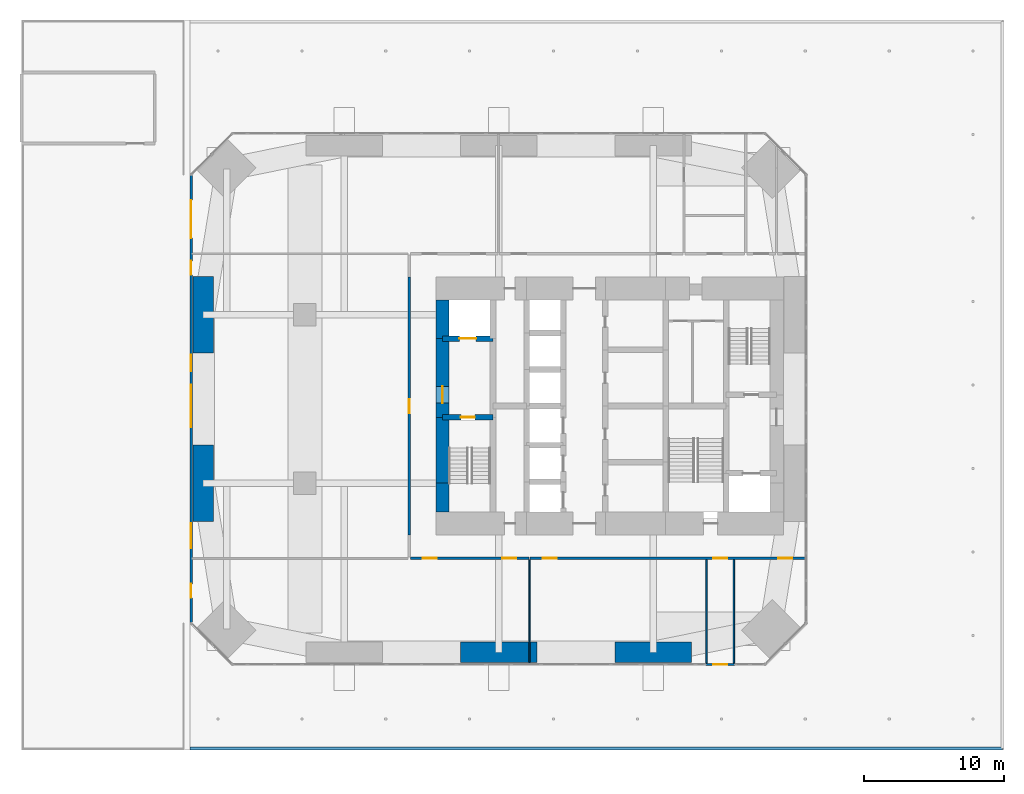
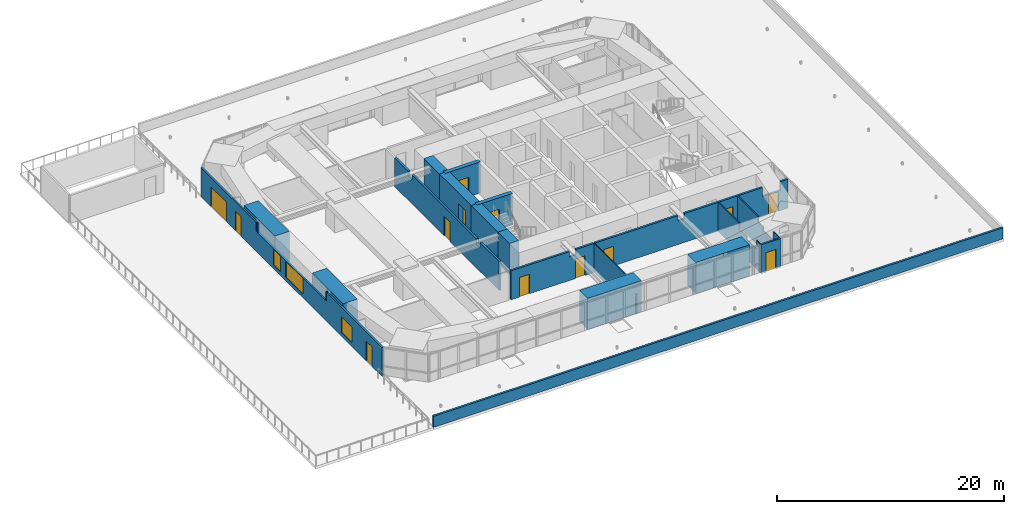
# One storey, part 13 of 20: 19 walls, 13 doors, 3 windows, 16 openings.
"""IFC4 building model written with IfcOpenShell, lengths in metres."""

import ifcopenshell
import ifcopenshell.guid

model = None  # the IFC model being written
_history = None  # IfcOwnerHistory: only IFC2X3 demands one
_inside = {}  # id of a spatial element -> (the spatial element, [elements in it])
_under = {}  # id of a project, library or spatial element -> (it, [spatial elements below it])
_declared = {}  # id of a project -> (the project, [libraries it declares])
_typed = {}  # id of a type object -> (the type object, [elements of that type])
_made_of = {}  # id of a material, layer set ... -> (it, [elements and type objects made of it])


def new_model(schema):
    """Start an empty IFC model of exactly this schema.

    Asked for "IFC4X3", IfcOpenShell would pick the latest addendum, in which some entities
    have other attributes; the version numbers below select the first issue.
    IFC2X3 requires an IfcOwnerHistory on every rooted entity: one is made here for all.
    """
    global model, _history
    if schema == "IFC4X3":
        model = ifcopenshell.file(schema_version=(4, 3, 0, 0))
    else:
        model = ifcopenshell.file(schema=schema)
    _inside.clear()
    _under.clear()
    _declared.clear()
    _typed.clear()
    _made_of.clear()
    _history = None
    if model.schema == "IFC2X3":
        org = make("IfcOrganization", Name="unknown")
        user = make(
            "IfcPersonAndOrganization",
            ThePerson=make("IfcPerson", FamilyName="unknown"),
            TheOrganization=org,
        )
        app = make(
            "IfcApplication",
            ApplicationDeveloper=org,
            Version="unknown",
            ApplicationFullName="unknown",
            ApplicationIdentifier="unknown",
        )
        _history = make(
            "IfcOwnerHistory",
            OwningUser=user,
            OwningApplication=app,
            ChangeAction="ADDED",
            CreationDate=0,
        )
    return model


def make(cls, **values):
    """One entity of the class cls with the attributes given. An attribute that is None is left unset."""
    return model.create_entity(
        cls, **{name: value for name, value in values.items() if value is not None}
    )


def rooted(cls, **values):
    """An entity with a GlobalId (a new one), such as an element, a storey or a relation."""
    return make(cls, GlobalId=ifcopenshell.guid.new(), OwnerHistory=_history, **values)


def si_unit(unit_type, name, prefix=None):
    """IfcSIUnit, for example si_unit("LENGTHUNIT", "METRE", prefix="MILLI")."""
    return make("IfcSIUnit", UnitType=unit_type, Prefix=prefix, Name=name)


def assignment(units):
    """IfcUnitAssignment: the units of a project."""
    return None if units is None else make("IfcUnitAssignment", Units=units)


def point(xyz):
    """IfcCartesianPoint."""
    return None if xyz is None else make("IfcCartesianPoint", Coordinates=xyz)


def direction(xyz):
    """IfcDirection."""
    return None if xyz is None else make("IfcDirection", DirectionRatios=xyz)


def frame(location, z_axis=None, x_axis=None):
    """IfcAxis2Placement3D, a coordinate frame: its origin and axes. An axis left out is left unset."""
    return make(
        "IfcAxis2Placement3D",
        Location=point(location),
        Axis=direction(z_axis),
        RefDirection=direction(x_axis),
    )


def frame_2d(location, x_axis=None):
    """IfcAxis2Placement2D, a coordinate frame in the plane: its origin and x axis."""
    return make(
        "IfcAxis2Placement2D", Location=point(location), RefDirection=direction(x_axis)
    )


def origin():
    """The frame at (0, 0, 0) with its axes left unset."""
    return frame((0.0, 0.0, 0.0))


def place(relative_to, where):
    """IfcLocalPlacement: puts the frame where relative to a parent placement (None: the world)."""
    return make(
        "IfcLocalPlacement", PlacementRelTo=relative_to, RelativePlacement=where
    )


def context(
    kind, dimensions, precision=None, world=None, true_north=None, identifier=None
):
    """IfcGeometricRepresentationContext, for example the 3D "Model" context."""
    return make(
        "IfcGeometricRepresentationContext",
        ContextIdentifier=identifier,
        ContextType=kind,
        CoordinateSpaceDimension=dimensions,
        Precision=precision,
        WorldCoordinateSystem=world,
        TrueNorth=true_north,
    )


def subcontext(parent, identifier, kind, view, scale=None):
    """IfcGeometricRepresentationSubContext, for example "Body" below "Model"."""
    return make(
        "IfcGeometricRepresentationSubContext",
        ContextIdentifier=identifier,
        ContextType=kind,
        ParentContext=parent,
        TargetScale=scale,
        TargetView=view,
    )


def project(units=None, contexts=None):
    """IfcProject with its units and contexts."""
    return rooted(
        "IfcProject",
        Name="project",
        RepresentationContexts=contexts,
        UnitsInContext=assignment(units),
    )


def spatial(cls, under=None, at=None, **own):
    """A site, building, storey or space (cls), placed at a placement, below another one or the project."""
    s = rooted(cls, ObjectPlacement=at, **own)
    if under is not None:
        _under.setdefault(under.id(), (under, []))[1].append(s)
    return s


def polyline(points):
    """IfcPolyline through the points."""
    return make("IfcPolyline", Points=[point(p) for p in points])


def profile(cls, at=None, kind="AREA", **sizes):
    """A parametric profile (cls). Its sizes go by their IFC names, for example OverallWidth=200.0."""
    return make(cls, ProfileType=kind, Position=at, **sizes)


def rectangle(**sizes):
    """IfcRectangleProfileDef."""
    return profile("IfcRectangleProfileDef", **sizes)


def outline(outer, holes=None, kind="AREA"):
    """IfcArbitraryClosedProfileDef: a profile drawn as a closed curve; with holes, ...WithVoids."""
    if holes is None:
        return make("IfcArbitraryClosedProfileDef", ProfileType=kind, OuterCurve=outer)
    return make(
        "IfcArbitraryProfileDefWithVoids",
        ProfileType=kind,
        OuterCurve=outer,
        InnerCurves=holes,
    )


def extrude(swept, where, along, depth):
    """IfcExtrudedAreaSolid: the profile swept, set in the frame where, extruded along a direction by depth."""
    return make(
        "IfcExtrudedAreaSolid",
        SweptArea=swept,
        Position=where,
        ExtrudedDirection=direction(along),
        Depth=depth,
    )


def shape(context_of_items, identifier, shape_type, items):
    """IfcShapeRepresentation: the items that make up one representation, for example the "Body"."""
    return make(
        "IfcShapeRepresentation",
        ContextOfItems=context_of_items,
        RepresentationIdentifier=identifier,
        RepresentationType=shape_type,
        Items=items,
    )


def material(Name=None, Category=None):
    """IfcMaterial."""
    return make("IfcMaterial", Name=Name, Category=Category)


def layer(
    of_material, thickness, ventilated=None, Name=None, Category=None, Priority=None
):
    """IfcMaterialLayer: one layer of a wall or slab, of a material (None: an air gap)."""
    return make(
        "IfcMaterialLayer",
        Material=of_material,
        LayerThickness=thickness,
        IsVentilated=ventilated,
        Name=Name,
        Category=Category,
        Priority=Priority,
    )


def layer_set(layers, Name=None):
    """IfcMaterialLayerSet."""
    return make("IfcMaterialLayerSet", MaterialLayers=layers, LayerSetName=Name)


def constituent(of_material, Name=None, Category=None, fraction=None):
    """IfcMaterialConstituent: one of the materials an element consists of."""
    return make(
        "IfcMaterialConstituent",
        Name=Name,
        Material=of_material,
        Fraction=fraction,
        Category=Category,
    )


def constituent_set(constituents=None, Name=None):
    """IfcMaterialConstituentSet."""
    return make(
        "IfcMaterialConstituentSet", Name=Name, MaterialConstituents=constituents
    )


def made_of(thing, what):
    """Note that an element or type object is made of a material, layer set ...; save() writes the relation."""
    if what is not None:
        _made_of.setdefault(what.id(), (what, []))[1].append(thing)
    return thing


def type_object(cls, material=None, **own):
    """A type object (cls), such as IfcWallType, which elements share."""
    return made_of(rooted(cls, **own), material)


def element(
    cls,
    number,
    at=None,
    inside=None,
    cuts=None,
    type_object=None,
    material=None,
    context=None,
    identifier="Body",
    shape_type=None,
    held_by="IfcProductDefinitionShape",
    body=None,
    shapes=None,
    **own,
):
    """One element of the class cls, such as IfcWall. Its Tag is "e" and its number.

    at: its placement. inside: the storey or other place that contains it. cuts: it is an
    opening in that element (IfcRelVoidsElement). A single representation is given by context,
    identifier, shape_type and body (its items); several are given by shapes. held_by: the class
    of the entity that holds the representations. save() writes the other relations.
    """
    e = rooted(cls, Tag="e%d" % number, ObjectPlacement=at, **own)
    if body is not None:
        shapes = [shape(context, identifier, shape_type, body)]
    if shapes is not None:
        e.Representation = make(held_by, Representations=shapes)
    if inside is not None:
        _inside.setdefault(inside.id(), (inside, []))[1].append(e)
    if cuts is not None:
        rooted(
            "IfcRelVoidsElement", RelatingBuildingElement=cuts, RelatedOpeningElement=e
        )
    if type_object is not None:
        _typed.setdefault(type_object.id(), (type_object, []))[1].append(e)
    return made_of(e, material)


def fill(opening, filler):
    """IfcRelFillsElement: the door or window that sits in an opening."""
    return rooted(
        "IfcRelFillsElement",
        RelatingOpeningElement=opening,
        RelatedBuildingElement=filler,
    )


def aggregate(whole, parts):
    """IfcRelAggregates: a whole, such as a stair, and the parts it consists of."""
    return rooted("IfcRelAggregates", RelatingObject=whole, RelatedObjects=parts)


def save(model, path):
    """Write the relations noted so far, then the file.

    IfcRelAggregates (storeys below a building ...), IfcRelContainedInSpatialStructure (elements
    in a storey), IfcRelDefinesByType, IfcRelAssociatesMaterial and IfcRelDeclares: one each for
    every whole, place, type object, material and project.
    """
    for whole, parts in _under.values():
        aggregate(whole, parts)
    for where, things in _inside.values():
        rooted(
            "IfcRelContainedInSpatialStructure",
            RelatedElements=things,
            RelatingStructure=where,
        )
    for kind, things in _typed.values():
        rooted("IfcRelDefinesByType", RelatedObjects=things, RelatingType=kind)
    for what, things in _made_of.values():
        rooted("IfcRelAssociatesMaterial", RelatedObjects=things, RelatingMaterial=what)
    for by, libraries in _declared.values():
        rooted("IfcRelDeclares", RelatingContext=by, RelatedDefinitions=libraries)
    model.write(path)


model = new_model("IFC4")

# Units and contexts
model_context = context("Model", 3, precision=1e-05, world=origin(), true_north=direction((0.0, 1.0)))
body_context = subcontext(model_context, "Body", "Model", "MODEL_VIEW")
ifc_project = project(units=[si_unit("LENGTHUNIT", "METRE"), si_unit("AREAUNIT", "SQUARE_METRE"), si_unit("VOLUMEUNIT", "CUBIC_METRE"), si_unit("PLANEANGLEUNIT", "RADIAN"), si_unit("MASSUNIT", "GRAM", prefix="KILO")], contexts=[model_context])

# Site, building, storey
site_placement = place(None, origin())
site = spatial("IfcSite", under=ifc_project, at=site_placement, CompositionType="ELEMENT")
building_placement = place(site_placement, origin())
building = spatial("IfcBuilding", under=site, at=building_placement, Name="Jalousie Tower", CompositionType="ELEMENT")
storey_placement = place(building_placement, frame((0.0, 0.0, 21.0)))
storey = spatial("IfcBuildingStorey", under=building, at=storey_placement, Name="L04", CompositionType="ELEMENT", Elevation=21.0)

# Wall, opening, door
ifc_material_1 = material(Name="Concrete f'c 120 MPa", Category="concrete")
ifc_layer_1 = layer(ifc_material_1, 0.39990234375)
ifc_layer_set_1 = layer_set([ifc_layer_1], Name="Concrete f'c 120 MPa")
wall_type_1 = type_object("IfcWallType", Name="CORE WALL 400", PredefinedType="SHEAR", material=ifc_layer_set_1)
wall_1_placement = place(storey_placement, frame((20.0, 17.699951171875, 0.0), z_axis=(0.0, 0.0, 1.0), x_axis=(1.0, 0.0, 0.0)))
wall_1 = element("IfcWall", 1, at=wall_1_placement, inside=storey, type_object=wall_type_1, Name="Core wall Y20-17.7 L04", PredefinedType="SHEAR", context=body_context, shape_type="SweptSolid", body=[
    extrude(rectangle(XDim=3.60009765625, YDim=0.39990234375, at=frame_2d((1.800048828125, 0.0))), origin(), (0.0, 0.0, 1.0), 3.35009765625),
])
opening_1_placement = place(wall_1_placement, frame((1.300048828125, 0.0, 0.0)))
opening_1 = element("IfcOpeningElement", 2, at=opening_1_placement, cuts=wall_1, Name="Opening D10", PredefinedType="OPENING", context=body_context, shape_type="SweptSolid", body=[
    extrude(rectangle(XDim=1.0, YDim=2.10009765625, at=frame_2d((0.5, 1.050048828125))), frame((0.0, 0.2099609375, 0.0), z_axis=(0.0, -1.0, 0.0), x_axis=(1.0, 0.0, 0.0)), (0.0, 0.0, 1.0), 0.419921875),
])
ifc_material_2 = material(Name="Steel fire door", Category="steel")
door_type_1 = type_object("IfcDoorType", Name="STAIR DOOR 1000", OperationType="SINGLE_SWING_LEFT", PredefinedType="DOOR", material=ifc_material_2)
door_1_placement = place(opening_1_placement, frame((1.0, 0.0, 0.0), z_axis=(0.0, 0.0, 1.0), x_axis=(-1.0, 0.0, 0.0)))
door_1 = element("IfcDoor", 3, at=door_1_placement, inside=storey, type_object=door_type_1, Name="Exit stair A door", OperationType="SINGLE_SWING_RIGHT", OverallHeight=2.10009765625, OverallWidth=1.0, PredefinedType="DOOR", context=body_context, shape_type="SweptSolid", body=[
    extrude(rectangle(XDim=1.0, YDim=2.10009765625, at=frame_2d((0.5, 1.050048828125))), frame((0.0, 0.02490234375, 0.0), z_axis=(0.0, -1.0, 0.0), x_axis=(1.0, 0.0, 0.0)), (0.0, 0.0, 1.0), 0.050048828125),
])
fill(opening_1, door_1)

wall_2_placement = place(storey_placement, frame((20.0, 23.300048828125, 0.0), z_axis=(0.0, 0.0, 1.0), x_axis=(1.0, 0.0, 0.0)))
wall_2 = element("IfcWall", 4, at=wall_2_placement, inside=storey, type_object=wall_type_1, Name="Core wall Y20-23.3 L04", PredefinedType="SHEAR", context=body_context, shape_type="SweptSolid", body=[
    extrude(rectangle(XDim=3.60009765625, YDim=0.39990234375, at=frame_2d((1.800048828125, 0.0))), origin(), (0.0, 0.0, 1.0), 3.35009765625),
])
opening_2_placement = place(wall_2_placement, frame((1.199951171875, 0.0, 0.0)))
opening_2 = element("IfcOpeningElement", 5, at=opening_2_placement, cuts=wall_2, Name="Opening LD2", PredefinedType="OPENING", context=body_context, shape_type="SweptSolid", body=[
    extrude(rectangle(XDim=1.199951171875, YDim=2.10009765625, at=frame_2d((0.60009765625, 1.050048828125))), frame((0.0, 0.2099609375, 0.0), z_axis=(0.0, -1.0, 0.0), x_axis=(1.0, 0.0, 0.0)), (0.0, 0.0, 1.0), 0.419921875),
])
ifc_material_3 = material(Name="Steel lift landing door", Category="steel")
door_type_2 = type_object("IfcDoorType", Name="LIFT LANDING DOOR 1200", OperationType="SLIDING_TO_LEFT", PredefinedType="DOOR", material=ifc_material_3)
door_2_placement = place(opening_2_placement, origin())
door_2 = element("IfcDoor", 6, at=door_2_placement, inside=storey, type_object=door_type_2, Name="Lift F1 landing door", OperationType="SLIDING_TO_LEFT", OverallHeight=2.10009765625, OverallWidth=1.199951171875, PredefinedType="DOOR", context=body_context, shape_type="SweptSolid", body=[
    extrude(rectangle(XDim=1.199951171875, YDim=2.10009765625, at=frame_2d((0.60009765625, 1.050048828125))), frame((0.0, 0.02490234375, 0.0), z_axis=(0.0, -1.0, 0.0), x_axis=(1.0, 0.0, 0.0)), (0.0, 0.0, 1.0), 0.050048828125),
])
fill(opening_2, door_2)

# Wall
ifc_material_4 = material(Name="Concrete f'c 120 MPa", Category="concrete")
ifc_layer_2 = layer(ifc_material_4, 0.949951171875)
ifc_layer_set_2 = layer_set([ifc_layer_2], Name="Concrete f'c 120 MPa")
wall_type_2 = type_object("IfcWallType", Name="CORE WALL 950", PredefinedType="SHEAR", material=ifc_layer_set_2)
wall_3_placement = place(storey_placement, frame((20.0, 26.050048828125, 0.0), z_axis=(0.0, 0.0, 1.0), x_axis=(0.0, -1.0, 0.0)))
element("IfcWall", 7, at=wall_3_placement, inside=storey, type_object=wall_type_2, Name="Core wall WA L04", PredefinedType="SHEAR", context=body_context, shape_type="SweptSolid", body=[
    extrude(rectangle(XDim=2.75, YDim=0.949951171875, at=frame_2d((1.375, 0.0))), origin(), (0.0, 0.0, 1.0), 3.35009765625),
])

# Wall, opening, door
wall_4_placement = place(storey_placement, frame((20.0, 23.300048828125, 0.0), z_axis=(0.0, 0.0, 1.0), x_axis=(0.0, -1.0, 0.0)))
wall_4 = element("IfcWall", 8, at=wall_4_placement, inside=storey, type_object=wall_type_2, Name="Core wall WB L04", PredefinedType="SHEAR", context=body_context, shape_type="SweptSolid", body=[
    extrude(rectangle(XDim=5.60009765625, YDim=0.949951171875, at=frame_2d((2.800048828125, 0.0))), origin(), (0.0, 0.0, 1.0), 3.35009765625),
])
opening_3_placement = place(wall_4_placement, frame((3.39990234375, 0.0, 0.0)))
opening_3 = element("IfcOpeningElement", 9, at=opening_3_placement, cuts=wall_4, Name="Opening D11", PredefinedType="OPENING", context=body_context, shape_type="SweptSolid", body=[
    extrude(rectangle(XDim=1.199951171875, YDim=2.199951171875, at=frame_2d((0.60009765625, 1.10009765625))), frame((0.0, 0.48486328125, 0.0), z_axis=(0.0, -1.0, 0.0), x_axis=(1.0, 0.0, 0.0)), (0.0, 0.0, 1.0), 0.969970703125),
])
ifc_material_5 = material(Name="Steel fire door", Category="steel")
door_type_3 = type_object("IfcDoorType", Name="FIRE DOOR 1200", OperationType="SINGLE_SWING_LEFT", PredefinedType="DOOR", material=ifc_material_5)
door_3_placement = place(opening_3_placement, origin())
door_3 = element("IfcDoor", 10, at=door_3_placement, inside=storey, type_object=door_type_3, Name="Fire-fighting lobby A door", OperationType="SINGLE_SWING_RIGHT", OverallHeight=2.199951171875, OverallWidth=1.199951171875, PredefinedType="DOOR", context=body_context, shape_type="SweptSolid", body=[
    extrude(rectangle(XDim=1.199951171875, YDim=2.199951171875, at=frame_2d((0.60009765625, 1.10009765625))), frame((0.0, 0.02490234375, 0.0), z_axis=(0.0, -1.0, 0.0), x_axis=(1.0, 0.0, 0.0)), (0.0, 0.0, 1.0), 0.050048828125),
])
fill(opening_3, door_3)

# Walls
wall_5_placement = place(storey_placement, frame((20.0, 17.699951171875, 0.0), z_axis=(0.0, 0.0, 1.0), x_axis=(0.0, -1.0, 0.0)))
element("IfcWall", 11, at=wall_5_placement, inside=storey, type_object=wall_type_2, Name="Core wall WC L04", PredefinedType="SHEAR", context=body_context, shape_type="SweptSolid", body=[
    extrude(rectangle(XDim=4.699951171875, YDim=0.949951171875, at=frame_2d((2.35009765625, 0.0))), origin(), (0.0, 0.0, 1.0), 3.35009765625),
])
wall_6_placement = place(storey_placement, frame((20.0, 13.0, 0.0), z_axis=(0.0, 0.0, 1.0), x_axis=(0.0, -1.0, 0.0)))
element("IfcWall", 12, at=wall_6_placement, inside=storey, type_object=wall_type_2, Name="Core wall WD L04", PredefinedType="SHEAR", context=body_context, shape_type="SweptSolid", body=[
    extrude(rectangle(XDim=2.050048828125, YDim=0.949951171875, at=frame_2d((1.02490234375, 0.0))), origin(), (0.0, 0.0, 1.0), 3.35009765625),
])

# Wall, openings, doors
ifc_material_6 = material(Name="Concrete block ASTM C90", Category="concrete")
ifc_constituent_1 = constituent(ifc_material_6, Name="Body")
ifc_material_7 = material(Name="Render")
ifc_constituent_2 = constituent(ifc_material_7, Name="Finish")
ifc_constituent_set_1 = constituent_set(constituents=[ifc_constituent_1, ifc_constituent_2])
wall_type_3 = type_object("IfcWallType", Name="CORRIDOR WALL 200", PredefinedType="PARTITIONING", material=ifc_constituent_set_1)
wall_7_placement = place(storey_placement, frame((17.72509765625, 7.64990234375, 0.0), z_axis=(0.0, 0.0, 1.0), x_axis=(1.0, 0.0, 0.0)))
wall_7 = element("IfcWall", 13, at=wall_7_placement, inside=storey, type_object=wall_type_3, Name="Corridor Wall 200 L04", PredefinedType="PARTITIONING", context=body_context, shape_type="SweptSolid", body=[
    extrude(outline(polyline([(0.0, 0.0), (8.4248046875, 0.0), (8.425048828125, 3.110107421875), (6.6123046875, 3.110107421875), (6.6123046875, 2.541015625), (5.9375, 2.541015625), (5.9375, 3.110107421875), (0.0, 3.110107421875), (0.0, 0.0)])), frame((0.0, 0.10009765625, 0.0), z_axis=(0.0, -1.0, 0.0), x_axis=(1.0, 0.0, 0.0)), (0.0, 0.0, 1.0), 0.199951171875),
])
opening_4_placement = place(wall_7_placement, frame((0.85009765625, 0.0, 0.0)))
opening_4 = element("IfcOpeningElement", 14, at=opening_4_placement, cuts=wall_7, Name="Opening D21", PredefinedType="OPENING", context=body_context, shape_type="SweptSolid", body=[
    extrude(rectangle(XDim=1.0, YDim=2.10009765625, at=frame_2d((0.5, 1.050048828125))), frame((0.0, 0.10986328125, 0.0), z_axis=(0.0, -1.0, 0.0), x_axis=(1.0, 0.0, 0.0)), (0.0, 0.0, 1.0), 0.219970703125),
])
opening_5_placement = place(wall_7_placement, frame((6.52490234375, 0.0, 0.0)))
opening_5 = element("IfcOpeningElement", 15, at=opening_5_placement, cuts=wall_7, Name="Opening D21", PredefinedType="OPENING", context=body_context, shape_type="SweptSolid", body=[
    extrude(rectangle(XDim=1.0, YDim=2.10009765625, at=frame_2d((0.5, 1.050048828125))), frame((0.0, 0.10986328125, 0.0), z_axis=(0.0, -1.0, 0.0), x_axis=(1.0, 0.0, 0.0)), (0.0, 0.0, 1.0), 0.219970703125),
])
ifc_material_8 = material(Name="Timber fire door", Category="wood")
door_type_4 = type_object("IfcDoorType", Name="CORRIDOR DOOR 1000", OperationType="SINGLE_SWING_LEFT", PredefinedType="DOOR", material=ifc_material_8)
door_4_placement = place(opening_4_placement, frame((1.0, 0.0, 0.0), z_axis=(0.0, 0.0, 1.0), x_axis=(-1.0, 0.0, 0.0)))
door_4 = element("IfcDoor", 16, at=door_4_placement, inside=storey, type_object=door_type_4, Name="Residents' gym door", OperationType="SINGLE_SWING_RIGHT", OverallHeight=2.10009765625, OverallWidth=1.0, PredefinedType="DOOR", context=body_context, shape_type="SweptSolid", body=[
    extrude(rectangle(XDim=1.0, YDim=2.10009765625, at=frame_2d((0.5, 1.050048828125))), frame((0.0, 0.02490234375, 0.0), z_axis=(0.0, -1.0, 0.0), x_axis=(1.0, 0.0, 0.0)), (0.0, 0.0, 1.0), 0.050048828125),
])
fill(opening_4, door_4)
door_5_placement = place(opening_5_placement, frame((1.0, 0.0, 0.0), z_axis=(0.0, 0.0, 1.0), x_axis=(-1.0, 0.0, 0.0)))
door_5 = element("IfcDoor", 17, at=door_5_placement, inside=storey, type_object=door_type_4, Name="Residents' gym second door", OperationType="SINGLE_SWING_LEFT", OverallHeight=2.10009765625, OverallWidth=1.0, PredefinedType="DOOR", context=body_context, shape_type="SweptSolid", body=[
    extrude(rectangle(XDim=1.0, YDim=2.10009765625, at=frame_2d((0.5, 1.050048828125))), frame((0.0, 0.02490234375, 0.0), z_axis=(0.0, -1.0, 0.0), x_axis=(1.0, 0.0, 0.0)), (0.0, 0.0, 1.0), 0.050048828125),
])
fill(opening_5, door_5)

wall_8_placement = place(storey_placement, frame((26.25, 7.64990234375, 0.0), z_axis=(0.0, 0.0, 1.0), x_axis=(1.0, 0.0, 0.0)))
wall_8 = element("IfcWall", 18, at=wall_8_placement, inside=storey, type_object=wall_type_3, Name="Corridor Wall 200 L04", PredefinedType="PARTITIONING", context=body_context, shape_type="SweptSolid", body=[
    extrude(outline(polyline([(0.0, 0.0), (19.60009765625, 0.0), (19.60009765625, 3.110107421875), (18.854248046875, 3.110107421875), (18.854248046875, 2.14990234375), (17.010498046875, 2.14990234375), (17.010498046875, 3.110107421875), (9.08740234375, 3.110107421875), (9.08740234375, 2.541015625), (8.41259765625, 2.541015625), (8.41259765625, 3.110107421875), (0.0, 3.110107421875), (0.0, 0.0)])), frame((0.0, 0.10009765625, 0.0), z_axis=(0.0, -1.0, 0.0), x_axis=(1.0, 0.0, 0.0)), (0.0, 0.0, 1.0), 0.199951171875),
])
opening_6_placement = place(wall_8_placement, frame((0.89990234375, 0.0, 0.0)))
opening_6 = element("IfcOpeningElement", 19, at=opening_6_placement, cuts=wall_8, Name="Opening D21", PredefinedType="OPENING", context=body_context, shape_type="SweptSolid", body=[
    extrude(rectangle(XDim=1.0, YDim=2.10009765625, at=frame_2d((0.5, 1.050048828125))), frame((0.0, 0.10986328125, 0.0), z_axis=(0.0, -1.0, 0.0), x_axis=(1.0, 0.0, 0.0)), (0.0, 0.0, 1.0), 0.219970703125),
])
opening_7_placement = place(wall_8_placement, frame((17.64990234375, 0.0, 0.0)))
opening_7 = element("IfcOpeningElement", 20, at=opening_7_placement, cuts=wall_8, Name="Opening D21", PredefinedType="OPENING", context=body_context, shape_type="SweptSolid", body=[
    extrude(rectangle(XDim=1.0, YDim=2.10009765625, at=frame_2d((0.5, 1.050048828125))), frame((0.0, 0.10986328125, 0.0), z_axis=(0.0, -1.0, 0.0), x_axis=(1.0, 0.0, 0.0)), (0.0, 0.0, 1.0), 0.219970703125),
])
opening_8_placement = place(wall_8_placement, frame((13.04052734375, 0.0, 0.0)))
opening_8 = element("IfcOpeningElement", 21, at=opening_8_placement, cuts=wall_8, Name="Opening D21", PredefinedType="OPENING", context=body_context, shape_type="SweptSolid", body=[
    extrude(rectangle(XDim=1.0, YDim=2.10009765625, at=frame_2d((0.5, 1.050048828125))), frame((0.0, 0.10986328125, 0.0), z_axis=(0.0, -1.0, 0.0), x_axis=(1.0, 0.0, 0.0)), (0.0, 0.0, 1.0), 0.219970703125),
])
door_6_placement = place(opening_6_placement, frame((1.0, 0.0, 0.0), z_axis=(0.0, 0.0, 1.0), x_axis=(-1.0, 0.0, 0.0)))
door_6 = element("IfcDoor", 22, at=door_6_placement, inside=storey, type_object=door_type_4, Name="Spa door", OperationType="SINGLE_SWING_RIGHT", OverallHeight=2.10009765625, OverallWidth=1.0, PredefinedType="DOOR", context=body_context, shape_type="SweptSolid", body=[
    extrude(rectangle(XDim=1.0, YDim=2.10009765625, at=frame_2d((0.5, 1.050048828125))), frame((0.0, 0.02490234375, 0.0), z_axis=(0.0, -1.0, 0.0), x_axis=(1.0, 0.0, 0.0)), (0.0, 0.0, 1.0), 0.050048828125),
])
fill(opening_6, door_6)
door_7_placement = place(opening_7_placement, frame((1.0, 0.0, 0.0), z_axis=(0.0, 0.0, 1.0), x_axis=(-1.0, 0.0, 0.0)))
door_7 = element("IfcDoor", 23, at=door_7_placement, inside=storey, type_object=door_type_4, Name="Spa second door", OperationType="SINGLE_SWING_LEFT", OverallHeight=2.10009765625, OverallWidth=1.0, PredefinedType="DOOR", context=body_context, shape_type="SweptSolid", body=[
    extrude(rectangle(XDim=1.0, YDim=2.10009765625, at=frame_2d((0.5, 1.050048828125))), frame((0.0, 0.02490234375, 0.0), z_axis=(0.0, -1.0, 0.0), x_axis=(1.0, 0.0, 0.0)), (0.0, 0.0, 1.0), 0.050048828125),
])
fill(opening_7, door_7)
door_8_placement = place(opening_8_placement, frame((1.0, 0.0, 0.0), z_axis=(0.0, 0.0, 1.0), x_axis=(-1.0, 0.0, 0.0)))
door_8 = element("IfcDoor", 24, at=door_8_placement, inside=storey, type_object=door_type_4, Name="Roof maintenance store door", OperationType="SINGLE_SWING_RIGHT", OverallHeight=2.10009765625, OverallWidth=1.0, PredefinedType="DOOR", context=body_context, shape_type="SweptSolid", body=[
    extrude(rectangle(XDim=1.0, YDim=2.10009765625, at=frame_2d((0.5, 1.050048828125))), frame((0.0, 0.02490234375, 0.0), z_axis=(0.0, -1.0, 0.0), x_axis=(1.0, 0.0, 0.0)), (0.0, 0.0, 1.0), 0.050048828125),
])
fill(opening_8, door_8)

# Wall, opening, door
wall_9_placement = place(storey_placement, frame((17.625, 9.300048828125, 0.0), z_axis=(0.0, 0.0, 1.0), x_axis=(0.0, 1.0, 0.0)))
wall_9 = element("IfcWall", 25, at=wall_9_placement, inside=storey, type_object=wall_type_3, Name="Corridor Wall 200 L04", PredefinedType="PARTITIONING", context=body_context, shape_type="SweptSolid", body=[
    extrude(outline(polyline([(0.0, 0.0), (18.39990234375, 0.0), (18.39990234375, 3.110107421875), (16.037353515625, 3.110107421875), (16.037353515625, 2.541015625), (15.362548828125, 2.541015625), (15.362548828125, 3.110107421875), (4.037353515625, 3.110107421875), (4.037353515625, 2.541015625), (3.36279296875, 2.541015625), (3.36279296875, 3.110107421875), (0.0, 3.110107421875), (0.0, 0.0)])), frame((0.0, 0.10009765625, 0.0), z_axis=(0.0, -1.0, 0.0), x_axis=(1.0, 0.0, 0.0)), (0.0, 0.0, 1.0), 0.199951171875),
])
opening_9_placement = place(wall_9_placement, frame((8.699951171875, 0.0, 0.0)))
opening_9 = element("IfcOpeningElement", 26, at=opening_9_placement, cuts=wall_9, Name="Opening D21", PredefinedType="OPENING", context=body_context, shape_type="SweptSolid", body=[
    extrude(rectangle(XDim=1.0, YDim=2.10009765625, at=frame_2d((0.5, 1.050048828125))), frame((0.0, 0.10986328125, 0.0), z_axis=(0.0, -1.0, 0.0), x_axis=(1.0, 0.0, 0.0)), (0.0, 0.0, 1.0), 0.219970703125),
])
door_9_placement = place(opening_9_placement, origin())
door_9 = element("IfcDoor", 27, at=door_9_placement, inside=storey, type_object=door_type_4, Name="Residents' library door", OperationType="SINGLE_SWING_LEFT", OverallHeight=2.10009765625, OverallWidth=1.0, PredefinedType="DOOR", context=body_context, shape_type="SweptSolid", body=[
    extrude(rectangle(XDim=1.0, YDim=2.10009765625, at=frame_2d((0.5, 1.050048828125))), frame((0.0, 0.02490234375, 0.0), z_axis=(0.0, -1.0, 0.0), x_axis=(1.0, 0.0, 0.0)), (0.0, 0.0, 1.0), 0.050048828125),
])
fill(opening_9, door_9)

# Wall, openings, doors, windows
ifc_material_9 = material(Name="Concrete f'c 40 MPa", Category="concrete")
ifc_constituent_3 = constituent(ifc_material_9, Name="Body")
ifc_material_10 = material(Name="Render, pastel coral")
ifc_constituent_4 = constituent(ifc_material_10, Name="Finish")
ifc_constituent_set_2 = constituent_set(constituents=[ifc_constituent_3, ifc_constituent_4])
wall_type_4 = type_object("IfcWallType", Name="EXTERNAL WALL 175 CORAL RENDER", PredefinedType="SOLIDWALL", material=ifc_constituent_set_2)
wall_10_placement = place(storey_placement, frame((2.08740234375, 34.94873046875, 0.0), z_axis=(0.0, 0.0, 1.0), x_axis=(0.0, -1.0, 0.0)))
wall_10 = element("IfcWall", 28, at=wall_10_placement, inside=storey, type_object=wall_type_4, Name="External Wall 175 Coral Render L04", PredefinedType="SOLIDWALL", context=body_context, shape_type="SweptSolid", body=[
    extrude(outline(polyline([(0.0, 0.0), (31.8974609375, 0.0), (31.8974609375, 3.110107421875), (22.167236328125, 3.110107421875), (22.167236328125, 2.14990234375), (22.074462890625, 2.14990234375), (22.074462890625, 3.110107421875), (21.94873046875, 3.110107421875), (21.94873046875, 2.14990234375), (9.94873046875, 2.14990234375), (9.94873046875, 3.110107421875), (9.822998046875, 3.110107421875), (9.822998046875, 2.14990234375), (9.72998046875, 2.14990234375), (9.72998046875, 3.110107421875), (0.0, 3.110107421875), (0.0, 0.0)])), frame((0.0, 0.08740234375, 0.0), z_axis=(0.0, -1.0, 0.0), x_axis=(1.0, 0.0, 0.0)), (0.0, 0.0, 1.0), 0.175048828125),
])
opening_10_placement = place(wall_10_placement, frame((1.782958984375, 0.0, 0.0)))
opening_10 = element("IfcOpeningElement", 29, at=opening_10_placement, cuts=wall_10, Name="Opening D-TER21", PredefinedType="OPENING", context=body_context, shape_type="SweptSolid", body=[
    extrude(rectangle(XDim=2.699951171875, YDim=2.10009765625, at=frame_2d((1.35009765625, 1.050048828125))), frame((0.0, 0.097412109375, 0.0), z_axis=(0.0, -1.0, 0.0), x_axis=(1.0, 0.0, 0.0)), (0.0, 0.0, 1.0), 0.195068359375),
])
opening_11_placement = place(wall_10_placement, frame((6.11181640625, 0.0, 0.0)))
opening_11 = element("IfcOpeningElement", 30, at=opening_11_placement, cuts=wall_10, Name="Opening D-TES21", PredefinedType="OPENING", context=body_context, shape_type="SweptSolid", body=[
    extrude(rectangle(XDim=1.0, YDim=2.10009765625, at=frame_2d((0.5, 1.050048828125))), frame((0.0, 0.097412109375, 0.0), z_axis=(0.0, -1.0, 0.0), x_axis=(1.0, 0.0, 0.0)), (0.0, 0.0, 1.0), 0.195068359375),
])
opening_12_placement = place(wall_10_placement, frame((12.78759765625, 0.0, 0.39990234375)))
opening_12 = element("IfcOpeningElement", 31, at=opening_12_placement, cuts=wall_10, Name="Opening W-COR170", PredefinedType="OPENING", context=body_context, shape_type="SweptSolid", body=[
    extrude(rectangle(XDim=1.199951171875, YDim=1.699951171875, at=frame_2d((0.60009765625, 0.85009765625))), frame((0.0, 0.097412109375, 0.0), z_axis=(0.0, -1.0, 0.0), x_axis=(1.0, 0.0, 0.0)), (0.0, 0.0, 1.0), 0.195068359375),
])
opening_13_placement = place(wall_10_placement, frame((14.94873046875, 0.0, 0.39990234375)))
opening_13 = element("IfcOpeningElement", 32, at=opening_13_placement, cuts=wall_10, Name="Opening W-AMN170", PredefinedType="OPENING", context=body_context, shape_type="SweptSolid", body=[
    extrude(rectangle(XDim=3.0, YDim=1.699951171875, at=frame_2d((1.5, 0.85009765625))), frame((0.0, 0.097412109375, 0.0), z_axis=(0.0, -1.0, 0.0), x_axis=(1.0, 0.0, 0.0)), (0.0, 0.0, 1.0), 0.195068359375),
])
opening_14_placement = place(wall_10_placement, frame((24.79541015625, 0.0, 0.39990234375)))
opening_14 = element("IfcOpeningElement", 33, at=opening_14_placement, cuts=wall_10, Name="Opening W-BED170", PredefinedType="OPENING", context=body_context, shape_type="SweptSolid", body=[
    extrude(rectangle(XDim=1.800048828125, YDim=1.699951171875, at=frame_2d((0.89990234375, 0.85009765625))), frame((0.0, 0.097412109375, 0.0), z_axis=(0.0, -1.0, 0.0), x_axis=(1.0, 0.0, 0.0)), (0.0, 0.0, 1.0), 0.195068359375),
])
opening_15_placement = place(wall_10_placement, frame((29.123046875, 0.0, 0.0)))
opening_15 = element("IfcOpeningElement", 34, at=opening_15_placement, cuts=wall_10, Name="Opening D-TES21", PredefinedType="OPENING", context=body_context, shape_type="SweptSolid", body=[
    extrude(rectangle(XDim=1.0, YDim=2.10009765625, at=frame_2d((0.5, 1.050048828125))), frame((0.0, 0.097412109375, 0.0), z_axis=(0.0, -1.0, 0.0), x_axis=(1.0, 0.0, 0.0)), (0.0, 0.0, 1.0), 0.195068359375),
])
ifc_material_11 = material(Name="Aluminium frame, impact-rated glazing", Category="aluminium")
door_type_5 = type_object("IfcDoorType", Name="TERRACE DOOR 2700x2100", OperationType="DOUBLE_DOOR_SINGLE_SWING", PredefinedType="DOOR", material=ifc_material_11)
door_10_placement = place(opening_10_placement, origin())
door_10 = element("IfcDoor", 35, at=door_10_placement, inside=storey, type_object=door_type_5, Name="Pool lounge terrace door", OperationType="DOUBLE_DOOR_SINGLE_SWING", OverallHeight=2.10009765625, OverallWidth=2.699951171875, PredefinedType="DOOR", context=body_context, shape_type="SweptSolid", body=[
    extrude(rectangle(XDim=2.699951171875, YDim=2.10009765625, at=frame_2d((1.35009765625, 1.050048828125))), frame((0.0, 0.02490234375, 0.0), z_axis=(0.0, -1.0, 0.0), x_axis=(1.0, 0.0, 0.0)), (0.0, 0.0, 1.0), 0.050048828125),
])
fill(opening_10, door_10)
ifc_material_12 = material(Name="Aluminium frame, impact-rated glazing", Category="aluminium")
door_type_6 = type_object("IfcDoorType", Name="TERRACE SINGLE DOOR 1000x2100", OperationType="SINGLE_SWING_RIGHT", PredefinedType="DOOR", material=ifc_material_12)
door_11_placement = place(opening_11_placement, origin())
door_11 = element("IfcDoor", 36, at=door_11_placement, inside=storey, type_object=door_type_6, Name="Residents' library terrace door", OperationType="SINGLE_SWING_LEFT", OverallHeight=2.10009765625, OverallWidth=1.0, PredefinedType="DOOR", context=body_context, shape_type="SweptSolid", body=[
    extrude(rectangle(XDim=1.0, YDim=2.10009765625, at=frame_2d((0.5, 1.050048828125))), frame((0.0, 0.02490234375, 0.0), z_axis=(0.0, -1.0, 0.0), x_axis=(1.0, 0.0, 0.0)), (0.0, 0.0, 1.0), 0.050048828125),
])
fill(opening_11, door_11)
door_12_placement = place(opening_15_placement, origin())
door_12 = element("IfcDoor", 37, at=door_12_placement, inside=storey, type_object=door_type_6, Name="Residents' gym terrace door", OperationType="SINGLE_SWING_LEFT", OverallHeight=2.10009765625, OverallWidth=1.0, PredefinedType="DOOR", context=body_context, shape_type="SweptSolid", body=[
    extrude(rectangle(XDim=1.0, YDim=2.10009765625, at=frame_2d((0.5, 1.050048828125))), frame((0.0, 0.02490234375, 0.0), z_axis=(0.0, -1.0, 0.0), x_axis=(1.0, 0.0, 0.0)), (0.0, 0.0, 1.0), 0.050048828125),
])
fill(opening_15, door_12)
ifc_material_13 = material(Name="Aluminium frame, impact-rated glazing", Category="aluminium")
window_type_1 = type_object("IfcWindowType", Name="WINDOW AMN 3000x1700", PartitioningType="DOUBLE_PANEL_VERTICAL", PredefinedType="WINDOW", material=ifc_material_13)
window_1_placement = place(opening_13_placement, origin())
window_1 = element("IfcWindow", 38, at=window_1_placement, inside=storey, type_object=window_type_1, Name="Residents' library window", OverallHeight=1.699951171875, OverallWidth=3.0, PartitioningType="SINGLE_PANEL", PredefinedType="WINDOW", context=body_context, shape_type="SweptSolid", body=[
    extrude(rectangle(XDim=3.0, YDim=1.699951171875, at=frame_2d((1.5, 0.85009765625))), frame((0.0, 0.030029296875, 0.0), z_axis=(0.0, -1.0, 0.0), x_axis=(1.0, 0.0, 0.0)), (0.0, 0.0, 1.0), 0.06005859375),
])
fill(opening_13, window_1)
ifc_material_14 = material(Name="Aluminium frame, impact-rated glazing", Category="aluminium")
window_type_2 = type_object("IfcWindowType", Name="WINDOW BED 1800x1700", PartitioningType="SINGLE_PANEL", PredefinedType="WINDOW", material=ifc_material_14)
window_2_placement = place(opening_14_placement, origin())
window_2 = element("IfcWindow", 39, at=window_2_placement, inside=storey, type_object=window_type_2, Name="Residents' library window", OverallHeight=1.699951171875, OverallWidth=1.800048828125, PartitioningType="SINGLE_PANEL", PredefinedType="WINDOW", context=body_context, shape_type="SweptSolid", body=[
    extrude(rectangle(XDim=1.800048828125, YDim=1.699951171875, at=frame_2d((0.89990234375, 0.85009765625))), frame((0.0, 0.030029296875, 0.0), z_axis=(0.0, -1.0, 0.0), x_axis=(1.0, 0.0, 0.0)), (0.0, 0.0, 1.0), 0.06005859375),
])
fill(opening_14, window_2)
ifc_material_15 = material(Name="Aluminium frame, impact-rated glazing", Category="aluminium")
window_type_3 = type_object("IfcWindowType", Name="WINDOW COR 1200x1700", PartitioningType="SINGLE_PANEL", PredefinedType="WINDOW", material=ifc_material_15)
window_3_placement = place(opening_12_placement, origin())
window_3 = element("IfcWindow", 40, at=window_3_placement, inside=storey, type_object=window_type_3, Name="Residents' library window", OverallHeight=1.699951171875, OverallWidth=1.199951171875, PartitioningType="SINGLE_PANEL", PredefinedType="WINDOW", context=body_context, shape_type="SweptSolid", body=[
    extrude(rectangle(XDim=1.199951171875, YDim=1.699951171875, at=frame_2d((0.60009765625, 0.85009765625))), frame((0.0, 0.030029296875, 0.0), z_axis=(0.0, -1.0, 0.0), x_axis=(1.0, 0.0, 0.0)), (0.0, 0.0, 1.0), 0.06005859375),
])
fill(opening_12, window_3)

# Wall, opening, door
wall_11_placement = place(storey_placement, frame((38.7705078125, 0.08740234375, 0.0), z_axis=(0.0, 0.0, 1.0), x_axis=(1.0, 0.0, 0.0)))
wall_11 = element("IfcWall", 41, at=wall_11_placement, inside=storey, type_object=wall_type_4, Name="External Wall 175 Coral Render L04", PredefinedType="SOLIDWALL", context=body_context, shape_type="SweptSolid", body=[
    extrude(rectangle(XDim=2.040283203125, YDim=0.175048828125, at=frame_2d((1.02001953125, 0.0))), origin(), (0.0, 0.0, 1.0), 3.110107421875),
])
opening_16_placement = place(wall_11_placement, frame((0.520263671875, 0.0, 0.0)))
opening_16 = element("IfcOpeningElement", 42, at=opening_16_placement, cuts=wall_11, Name="Opening D-PA", PredefinedType="OPENING", context=body_context, shape_type="SweptSolid", body=[
    extrude(rectangle(XDim=1.0, YDim=2.10009765625, at=frame_2d((0.5, 1.050048828125))), frame((0.0, 0.097412109375, 0.0), z_axis=(0.0, -1.0, 0.0), x_axis=(1.0, 0.0, 0.0)), (0.0, 0.0, 1.0), 0.195068359375),
])
ifc_material_16 = material(Name="Galvanised steel door", Category="steel")
door_type_7 = type_object("IfcDoorType", Name="PLANT ACCESS DOOR 1000x2100", OperationType="SINGLE_SWING_LEFT", PredefinedType="DOOR", material=ifc_material_16)
door_13_placement = place(opening_16_placement, origin())
door_13 = element("IfcDoor", 43, at=door_13_placement, inside=storey, type_object=door_type_7, Name="Planted roof access door, maintenance only", OperationType="SINGLE_SWING_RIGHT", OverallHeight=2.10009765625, OverallWidth=1.0, PredefinedType="DOOR", context=body_context, shape_type="SweptSolid", body=[
    extrude(rectangle(XDim=1.0, YDim=2.10009765625, at=frame_2d((0.5, 1.050048828125))), frame((0.0, 0.02490234375, 0.0), z_axis=(0.0, -1.0, 0.0), x_axis=(1.0, 0.0, 0.0)), (0.0, 0.0, 1.0), 0.050048828125),
])
fill(opening_16, door_13)

# Walls
ifc_material_17 = material(Name="Concrete f'c 40 MPa", Category="concrete")
ifc_layer_3 = layer(ifc_material_17, 0.199951171875)
ifc_layer_set_3 = layer_set([ifc_layer_3], Name="Concrete f'c 40 MPa")
wall_type_5 = type_object("IfcWallType", Name="PARAPET WALL 200", PredefinedType="PARAPET", material=ifc_layer_set_3)
wall_12_placement = place(storey_placement, frame((2.0, -5.89990234375, 0.0), z_axis=(0.0, 0.0, 1.0), x_axis=(1.0, 0.0, 0.0)))
element("IfcWall", 44, at=wall_12_placement, inside=storey, type_object=wall_type_5, Name="Parapet Wall 200 L04", PredefinedType="PARAPET", context=body_context, shape_type="SweptSolid", body=[
    extrude(rectangle(XDim=57.89990234375, YDim=0.199951171875, at=frame_2d((28.949951171875, 0.0))), origin(), (0.0, 0.0, 1.0), 1.199951171875),
])
ifc_material_18 = material(Name="Gypsum board", Category="gypsum")
ifc_constituent_5 = constituent(ifc_material_18, Name="Body")
ifc_material_19 = material(Name="Light-gauge steel studs ASTM A653 SS Grade 33", Category="steel")
ifc_constituent_6 = constituent(ifc_material_19, Name="Framing")
ifc_constituent_set_3 = constituent_set(constituents=[ifc_constituent_5, ifc_constituent_6])
wall_type_6 = type_object("IfcWallType", Name="PARTITION 100", PredefinedType="PARTITIONING", material=ifc_constituent_set_3)
wall_13_placement = place(storey_placement, frame((26.199951171875, 0.14990234375, 0.0), z_axis=(0.0, 0.0, 1.0), x_axis=(0.0, 1.0, 0.0)))
element("IfcWall", 45, at=wall_13_placement, inside=storey, type_object=wall_type_6, Name="Partition 100 L04", PredefinedType="PARTITIONING", context=body_context, shape_type="SweptSolid", body=[
    extrude(outline(polyline([(0.0, 0.0), (7.400146484375, 0.0), (7.39990234375, 3.110107421875), (1.659912109375, 3.110107421875), (1.659912109375, 2.14990234375), (0.0, 2.14990234375), (0.0, 3.110107421875), (0.0, 0.0)])), frame((0.0, 0.050048828125, 0.0), z_axis=(0.0, -1.0, 0.0), x_axis=(1.0, 0.0, 0.0)), (0.0, 0.0, 1.0), 0.10009765625),
])
wall_14_placement = place(storey_placement, frame((38.8203125, 0.175048828125, 0.0), z_axis=(0.0, 0.0, 1.0), x_axis=(0.0, 1.0, 0.0)))
element("IfcWall", 46, at=wall_14_placement, inside=storey, type_object=wall_type_6, Name="Partition 100 L04", PredefinedType="PARTITIONING", context=body_context, shape_type="SweptSolid", body=[
    extrude(outline(polyline([(0.0, 0.0), (7.375, 0.0), (7.375, 3.110107421875), (3.71630859375, 3.110107421875), (3.71630859375, 2.510009765625), (2.419921875, 2.510009765625), (2.419921875, 2.14990234375), (0.665283203125, 2.14990234375), (0.665283203125, 3.110107421875), (0.0, 3.110107421875), (0.0, 0.0)])), frame((0.0, 0.050048828125, 0.0), z_axis=(0.0, -1.0, 0.0), x_axis=(1.0, 0.0, 0.0)), (0.0, 0.0, 1.0), 0.10009765625),
])
wall_15_placement = place(storey_placement, frame((40.7607421875, 0.175048828125, 0.0), z_axis=(0.0, 0.0, 1.0), x_axis=(0.0, 1.0, 0.0)))
element("IfcWall", 47, at=wall_15_placement, inside=storey, type_object=wall_type_6, Name="Partition 100 L04", PredefinedType="PARTITIONING", context=body_context, shape_type="SweptSolid", body=[
    extrude(outline(polyline([(0.0, 0.0), (7.375, 0.0), (7.375, 3.110107421875), (3.71630859375, 3.110107421875), (3.71630859375, 2.510009765625), (2.8095703125, 2.510009765625), (2.8095703125, 2.14990234375), (1.055419921875, 2.14990234375), (1.055419921875, 3.110107421875), (0.0, 3.110107421875), (0.0, 0.0)])), frame((0.0, 0.050048828125, 0.0), z_axis=(0.0, -1.0, 0.0), x_axis=(1.0, 0.0, 0.0)), (0.0, 0.0, 1.0), 0.10009765625),
])
ifc_material_20 = material(Name="Concrete f'c 120 MPa", Category="concrete")
ifc_layer_4 = layer(ifc_material_20, 1.449951171875)
ifc_layer_set_4 = layer_set([ifc_layer_4], Name="Concrete f'c 120 MPa")
wall_type_7 = type_object("IfcWallType", Name="RC WALL PIER 1450", PredefinedType="SHEAR", material=ifc_layer_set_4)
for number, where, z_axis, x_axis, name in (
    (48, (21.27490234375, 0.949951171875, 0.0), (0.0, 0.0, 1.0), (1.0, 0.0, 0.0), "Wall pier 03 L04"),
    (49, (32.27490234375, 0.949951171875, 0.0), (0.0, 0.0, 1.0), (1.0, 0.0, 0.0), "Wall pier 04 L04"),
    (50, (2.949951171875, 22.27490234375, 0.0), (0.0, 0.0, 1.0), (0.0, 1.0, 0.0), "Wall pier 13 L04"),
    (51, (2.949951171875, 10.27490234375, 0.0), (0.0, 0.0, 1.0), (0.0, 1.0, 0.0), "Wall pier 14 L04"),
):
    element("IfcWall", number, at=place(storey_placement, frame(where, z_axis=z_axis, x_axis=x_axis)), inside=storey, type_object=wall_type_7, Name=name, PredefinedType="SHEAR", context=body_context, shape_type="SweptSolid", body=[
        extrude(rectangle(XDim=5.4501953125, YDim=1.449951171875, at=frame_2d((2.72509765625, 0.0))), origin(), (0.0, 0.0, 1.0), 3.35009765625),
    ])

save(model, "model.ifc")
